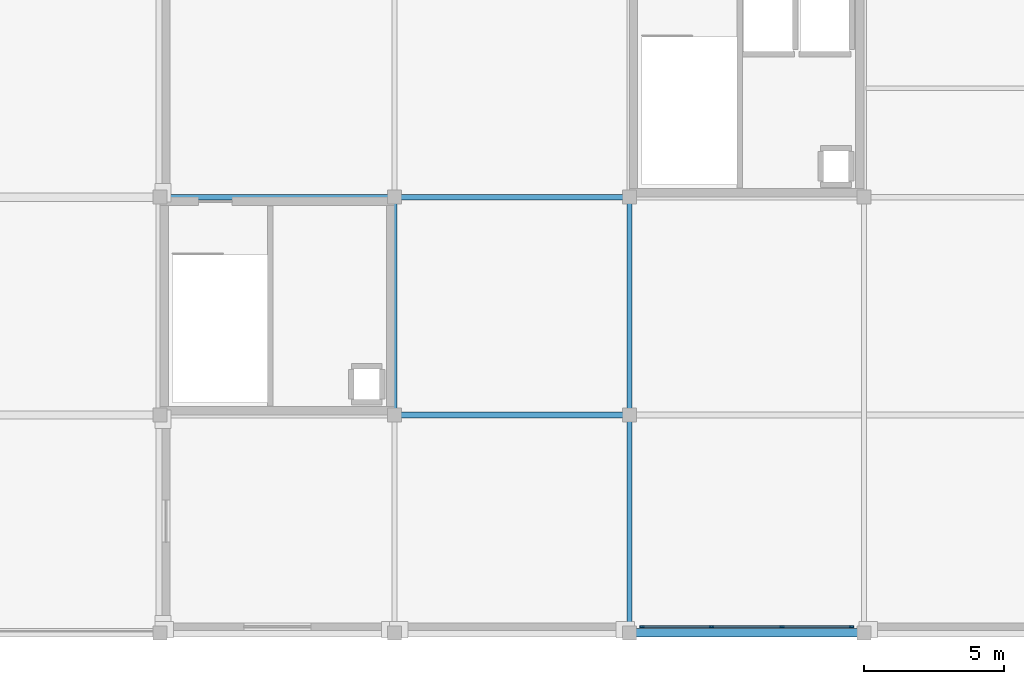
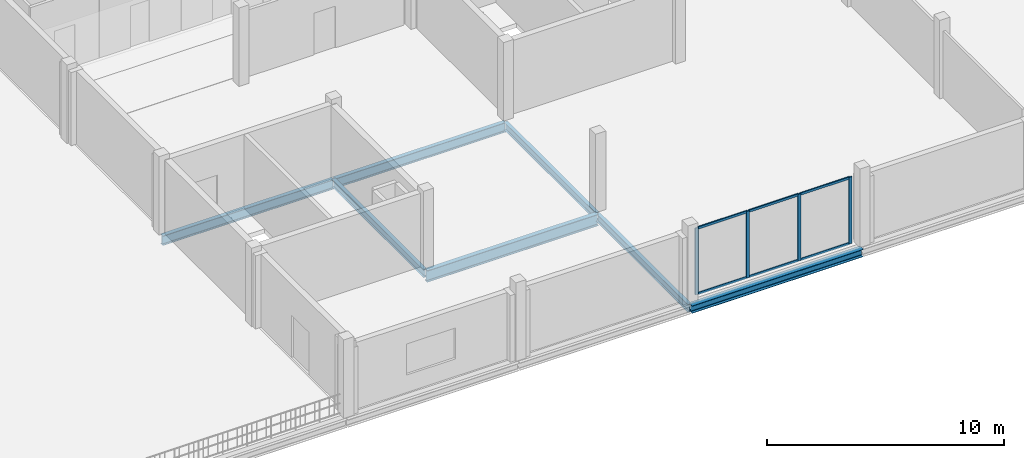
# One storey, part 10 of 41: 10 members, 7 beams, 1 element without a shape of its own.
"""IFC4 building model written with IfcOpenShell, lengths in metres."""

import ifcopenshell
import ifcopenshell.guid

model = None  # the IFC model being written
_history = None  # IfcOwnerHistory: only IFC2X3 demands one
_inside = {}  # id of a spatial element -> (the spatial element, [elements in it])
_under = {}  # id of a project, library or spatial element -> (it, [spatial elements below it])
_declared = {}  # id of a project -> (the project, [libraries it declares])
_typed = {}  # id of a type object -> (the type object, [elements of that type])
_made_of = {}  # id of a material, layer set ... -> (it, [elements and type objects made of it])


def new_model(schema):
    """Start an empty IFC model of exactly this schema.

    Asked for "IFC4X3", IfcOpenShell would pick the latest addendum, in which some entities
    have other attributes; the version numbers below select the first issue.
    IFC2X3 requires an IfcOwnerHistory on every rooted entity: one is made here for all.
    """
    global model, _history
    if schema == "IFC4X3":
        model = ifcopenshell.file(schema_version=(4, 3, 0, 0))
    else:
        model = ifcopenshell.file(schema=schema)
    _inside.clear()
    _under.clear()
    _declared.clear()
    _typed.clear()
    _made_of.clear()
    _history = None
    if model.schema == "IFC2X3":
        org = make("IfcOrganization", Name="unknown")
        user = make(
            "IfcPersonAndOrganization",
            ThePerson=make("IfcPerson", FamilyName="unknown"),
            TheOrganization=org,
        )
        app = make(
            "IfcApplication",
            ApplicationDeveloper=org,
            Version="unknown",
            ApplicationFullName="unknown",
            ApplicationIdentifier="unknown",
        )
        _history = make(
            "IfcOwnerHistory",
            OwningUser=user,
            OwningApplication=app,
            ChangeAction="ADDED",
            CreationDate=0,
        )
    return model


def make(cls, **values):
    """One entity of the class cls with the attributes given. An attribute that is None is left unset."""
    return model.create_entity(
        cls, **{name: value for name, value in values.items() if value is not None}
    )


def rooted(cls, **values):
    """An entity with a GlobalId (a new one), such as an element, a storey or a relation."""
    return make(cls, GlobalId=ifcopenshell.guid.new(), OwnerHistory=_history, **values)


def si_unit(unit_type, name, prefix=None):
    """IfcSIUnit, for example si_unit("LENGTHUNIT", "METRE", prefix="MILLI")."""
    return make("IfcSIUnit", UnitType=unit_type, Prefix=prefix, Name=name)


def assignment(units):
    """IfcUnitAssignment: the units of a project."""
    return None if units is None else make("IfcUnitAssignment", Units=units)


def point(xyz):
    """IfcCartesianPoint."""
    return None if xyz is None else make("IfcCartesianPoint", Coordinates=xyz)


def direction(xyz):
    """IfcDirection."""
    return None if xyz is None else make("IfcDirection", DirectionRatios=xyz)


def frame(location, z_axis=None, x_axis=None):
    """IfcAxis2Placement3D, a coordinate frame: its origin and axes. An axis left out is left unset."""
    return make(
        "IfcAxis2Placement3D",
        Location=point(location),
        Axis=direction(z_axis),
        RefDirection=direction(x_axis),
    )


def frame_2d(location, x_axis=None):
    """IfcAxis2Placement2D, a coordinate frame in the plane: its origin and x axis."""
    return make(
        "IfcAxis2Placement2D", Location=point(location), RefDirection=direction(x_axis)
    )


def origin():
    """The frame at (0, 0, 0) with its axes left unset."""
    return frame((0.0, 0.0, 0.0))


def origin_2d():
    """The frame at (0, 0) in the plane with its x axis left unset."""
    return frame_2d((0.0, 0.0))


def place(relative_to, where):
    """IfcLocalPlacement: puts the frame where relative to a parent placement (None: the world)."""
    return make(
        "IfcLocalPlacement", PlacementRelTo=relative_to, RelativePlacement=where
    )


def context(
    kind, dimensions, precision=None, world=None, true_north=None, identifier=None
):
    """IfcGeometricRepresentationContext, for example the 3D "Model" context."""
    return make(
        "IfcGeometricRepresentationContext",
        ContextIdentifier=identifier,
        ContextType=kind,
        CoordinateSpaceDimension=dimensions,
        Precision=precision,
        WorldCoordinateSystem=world,
        TrueNorth=true_north,
    )


def subcontext(parent, identifier, kind, view, scale=None):
    """IfcGeometricRepresentationSubContext, for example "Body" below "Model"."""
    return make(
        "IfcGeometricRepresentationSubContext",
        ContextIdentifier=identifier,
        ContextType=kind,
        ParentContext=parent,
        TargetScale=scale,
        TargetView=view,
    )


def project(units=None, contexts=None):
    """IfcProject with its units and contexts."""
    return rooted(
        "IfcProject",
        Name="project",
        RepresentationContexts=contexts,
        UnitsInContext=assignment(units),
    )


def spatial(cls, under=None, at=None, **own):
    """A site, building, storey or space (cls), placed at a placement, below another one or the project."""
    s = rooted(cls, ObjectPlacement=at, **own)
    if under is not None:
        _under.setdefault(under.id(), (under, []))[1].append(s)
    return s


def profile(cls, at=None, kind="AREA", **sizes):
    """A parametric profile (cls). Its sizes go by their IFC names, for example OverallWidth=200.0."""
    return make(cls, ProfileType=kind, Position=at, **sizes)


def rectangle(**sizes):
    """IfcRectangleProfileDef."""
    return profile("IfcRectangleProfileDef", **sizes)


def i_section(**sizes):
    """IfcIShapeProfileDef."""
    return profile("IfcIShapeProfileDef", **sizes)


def extrude(swept, where, along, depth):
    """IfcExtrudedAreaSolid: the profile swept, set in the frame where, extruded along a direction by depth."""
    return make(
        "IfcExtrudedAreaSolid",
        SweptArea=swept,
        Position=where,
        ExtrudedDirection=direction(along),
        Depth=depth,
    )


def shape(context_of_items, identifier, shape_type, items):
    """IfcShapeRepresentation: the items that make up one representation, for example the "Body"."""
    return make(
        "IfcShapeRepresentation",
        ContextOfItems=context_of_items,
        RepresentationIdentifier=identifier,
        RepresentationType=shape_type,
        Items=items,
    )


def material(Name=None, Category=None):
    """IfcMaterial."""
    return make("IfcMaterial", Name=Name, Category=Category)


def material_profile(
    of_material, cross_section, Name=None, Category=None, Priority=None
):
    """IfcMaterialProfile: a cross section and its material."""
    return make(
        "IfcMaterialProfile",
        Name=Name,
        Material=of_material,
        Profile=cross_section,
        Priority=Priority,
        Category=Category,
    )


def profile_set(profiles, Name=None, composite=None):
    """IfcMaterialProfileSet."""
    return make(
        "IfcMaterialProfileSet",
        Name=Name,
        MaterialProfiles=profiles,
        CompositeProfile=composite,
    )


def made_of(thing, what):
    """Note that an element or type object is made of a material, layer set ...; save() writes the relation."""
    if what is not None:
        _made_of.setdefault(what.id(), (what, []))[1].append(thing)
    return thing


def type_object(cls, material=None, **own):
    """A type object (cls), such as IfcWallType, which elements share."""
    return made_of(rooted(cls, **own), material)


def element(
    cls,
    number,
    at=None,
    inside=None,
    cuts=None,
    type_object=None,
    material=None,
    context=None,
    identifier="Body",
    shape_type=None,
    held_by="IfcProductDefinitionShape",
    body=None,
    shapes=None,
    **own,
):
    """One element of the class cls, such as IfcWall. Its Tag is "e" and its number.

    at: its placement. inside: the storey or other place that contains it. cuts: it is an
    opening in that element (IfcRelVoidsElement). A single representation is given by context,
    identifier, shape_type and body (its items); several are given by shapes. held_by: the class
    of the entity that holds the representations. save() writes the other relations.
    """
    e = rooted(cls, Tag="e%d" % number, ObjectPlacement=at, **own)
    if body is not None:
        shapes = [shape(context, identifier, shape_type, body)]
    if shapes is not None:
        e.Representation = make(held_by, Representations=shapes)
    if inside is not None:
        _inside.setdefault(inside.id(), (inside, []))[1].append(e)
    if cuts is not None:
        rooted(
            "IfcRelVoidsElement", RelatingBuildingElement=cuts, RelatedOpeningElement=e
        )
    if type_object is not None:
        _typed.setdefault(type_object.id(), (type_object, []))[1].append(e)
    return made_of(e, material)


def aggregate(whole, parts):
    """IfcRelAggregates: a whole, such as a stair, and the parts it consists of."""
    return rooted("IfcRelAggregates", RelatingObject=whole, RelatedObjects=parts)


def save(model, path):
    """Write the relations noted so far, then the file.

    IfcRelAggregates (storeys below a building ...), IfcRelContainedInSpatialStructure (elements
    in a storey), IfcRelDefinesByType, IfcRelAssociatesMaterial and IfcRelDeclares: one each for
    every whole, place, type object, material and project.
    """
    for whole, parts in _under.values():
        aggregate(whole, parts)
    for where, things in _inside.values():
        rooted(
            "IfcRelContainedInSpatialStructure",
            RelatedElements=things,
            RelatingStructure=where,
        )
    for kind, things in _typed.values():
        rooted("IfcRelDefinesByType", RelatedObjects=things, RelatingType=kind)
    for what, things in _made_of.values():
        rooted("IfcRelAssociatesMaterial", RelatedObjects=things, RelatingMaterial=what)
    for by, libraries in _declared.values():
        rooted("IfcRelDeclares", RelatingContext=by, RelatedDefinitions=libraries)
    model.write(path)


model = new_model("IFC4")

# Units and contexts
model_context = context("Model", 3, precision=1e-05, world=origin(), true_north=direction((0.0, 1.0)))
body_context = subcontext(model_context, "Body", "Model", "MODEL_VIEW")
ifc_project = project(units=[si_unit("LENGTHUNIT", "METRE"), si_unit("AREAUNIT", "SQUARE_METRE"), si_unit("VOLUMEUNIT", "CUBIC_METRE"), si_unit("PLANEANGLEUNIT", "RADIAN"), si_unit("MASSUNIT", "GRAM", prefix="KILO")], contexts=[model_context])

# Site, building, storey
site_placement = place(None, origin())
site = spatial("IfcSite", under=ifc_project, at=site_placement, CompositionType="ELEMENT")
building_placement = place(site_placement, origin())
building = spatial("IfcBuilding", under=site, at=building_placement, Name="Nabrawat Pavilion Hospital", CompositionType="ELEMENT")
storey_placement = place(building_placement, frame((0.0, 0.0, 18.89990234375)))
storey = spatial("IfcBuildingStorey", under=building, at=storey_placement, Name="L04", CompositionType="ELEMENT", Elevation=18.89990234375)

# Curtain wall, members
ifc_material_1 = material(Name="Anodised Aluminium", Category="aluminium")
curtain_wall_type = type_object("IfcCurtainWallType", Name="Outpatient Boulevard Curtain Wall", PredefinedType="USERDEFINED", material=ifc_material_1)
curtain_wall_placement = place(storey_placement, origin())
curtain_wall = element("IfcCurtainWall", 1, at=curtain_wall_placement, inside=storey, type_object=curtain_wall_type, Name="L04 Outpatient Boulevard Curtain Wall 148", ObjectType="CURTAIN WALL", PredefinedType="USERDEFINED")
ifc_material_profile_1 = material_profile(ifc_material_1, rectangle(XDim=0.06005859375, YDim=0.159912109375, at=origin_2d()), Name="CWM 60x160")
ifc_profile_set_1 = profile_set([ifc_material_profile_1], Name="Anodised Aluminium")
member_type_1 = type_object("IfcMemberType", Name="Outpatient Boulevard Curtain Wall Mullion CWM 60x160", PredefinedType="MULLION", material=ifc_profile_set_1)
member_1_placement = place(storey_placement, frame((160.050048828125, 0.219970703125, 0.0), z_axis=(0.0, 0.0, 1.0), x_axis=(0.0, 1.0, 0.0)))
member_1 = element("IfcMember", 2, at=member_1_placement, type_object=member_type_1, Name="CW-OPC-01 mullion 1", PredefinedType="MULLION", context=body_context, shape_type="SweptSolid", body=[
    extrude(rectangle(XDim=0.06005859375, YDim=0.159912109375, at=origin_2d()), origin(), (0.0, 0.0, 1.0), 3.440185546875),
])
member_2_placement = place(storey_placement, frame((162.5400390625, 0.219970703125, 0.0), z_axis=(0.0, 0.0, 1.0), x_axis=(0.0, 1.0, 0.0)))
member_2 = element("IfcMember", 3, at=member_2_placement, type_object=member_type_1, Name="CW-OPC-01 mullion 2", PredefinedType="MULLION", context=body_context, shape_type="SweptSolid", body=[
    extrude(rectangle(XDim=0.06005859375, YDim=0.159912109375, at=origin_2d()), origin(), (0.0, 0.0, 1.0), 3.440185546875),
])
member_3_placement = place(storey_placement, frame((165.06005859375, 0.219970703125, 0.0), z_axis=(0.0, 0.0, 1.0), x_axis=(0.0, 1.0, 0.0)))
member_3 = element("IfcMember", 4, at=member_3_placement, type_object=member_type_1, Name="CW-OPC-01 mullion 3", PredefinedType="MULLION", context=body_context, shape_type="SweptSolid", body=[
    extrude(rectangle(XDim=0.06005859375, YDim=0.159912109375, at=origin_2d()), origin(), (0.0, 0.0, 1.0), 3.440185546875),
])
member_4_placement = place(storey_placement, frame((167.550048828125, 0.219970703125, 0.0), z_axis=(0.0, 0.0, 1.0), x_axis=(0.0, 1.0, 0.0)))
member_4 = element("IfcMember", 5, at=member_4_placement, type_object=member_type_1, Name="CW-OPC-01 mullion 4", PredefinedType="MULLION", context=body_context, shape_type="SweptSolid", body=[
    extrude(rectangle(XDim=0.06005859375, YDim=0.159912109375, at=origin_2d()), origin(), (0.0, 0.0, 1.0), 3.440185546875),
])
ifc_material_profile_2 = material_profile(ifc_material_1, rectangle(XDim=0.06005859375, YDim=0.1201171875, at=origin_2d()), Name="CWT 60x120")
ifc_profile_set_2 = profile_set([ifc_material_profile_2], Name="Anodised Aluminium")
member_type_2 = type_object("IfcMemberType", Name="Outpatient Boulevard Curtain Wall Transom CWT 60x120", PredefinedType="USERDEFINED", material=ifc_profile_set_2)
member_5_placement = place(storey_placement, frame((160.080078125, 0.219970703125, 0.030029296875), z_axis=(1.0, 0.0, 0.0), x_axis=(0.0, 1.0, 0.0)))
member_5 = element("IfcMember", 6, at=member_5_placement, type_object=member_type_2, Name="CW-OPC-01 transom 1.1", ObjectType="TRANSOM", PredefinedType="USERDEFINED", context=body_context, shape_type="SweptSolid", body=[
    extrude(rectangle(XDim=0.06005859375, YDim=0.1201171875, at=origin_2d()), origin(), (0.0, 0.0, 1.0), 2.429931640625),
])
member_6_placement = place(storey_placement, frame((160.080078125, 0.219970703125, 3.41015625), z_axis=(1.0, 0.0, 0.0), x_axis=(0.0, 1.0, 0.0)))
member_6 = element("IfcMember", 7, at=member_6_placement, type_object=member_type_2, Name="CW-OPC-01 transom 1.2", ObjectType="TRANSOM", PredefinedType="USERDEFINED", context=body_context, shape_type="SweptSolid", body=[
    extrude(rectangle(XDim=0.06005859375, YDim=0.1201171875, at=origin_2d()), origin(), (0.0, 0.0, 1.0), 2.429931640625),
])
member_7_placement = place(storey_placement, frame((162.570068359375, 0.219970703125, 0.030029296875), z_axis=(1.0, 0.0, 0.0), x_axis=(0.0, 1.0, 0.0)))
member_7 = element("IfcMember", 8, at=member_7_placement, type_object=member_type_2, Name="CW-OPC-01 transom 2.1", ObjectType="TRANSOM", PredefinedType="USERDEFINED", context=body_context, shape_type="SweptSolid", body=[
    extrude(rectangle(XDim=0.06005859375, YDim=0.1201171875, at=origin_2d()), origin(), (0.0, 0.0, 1.0), 2.4599609375),
])
member_8_placement = place(storey_placement, frame((162.570068359375, 0.219970703125, 3.41015625), z_axis=(1.0, 0.0, 0.0), x_axis=(0.0, 1.0, 0.0)))
member_8 = element("IfcMember", 9, at=member_8_placement, type_object=member_type_2, Name="CW-OPC-01 transom 2.2", ObjectType="TRANSOM", PredefinedType="USERDEFINED", context=body_context, shape_type="SweptSolid", body=[
    extrude(rectangle(XDim=0.06005859375, YDim=0.1201171875, at=origin_2d()), origin(), (0.0, 0.0, 1.0), 2.4599609375),
])
member_9_placement = place(storey_placement, frame((165.090087890625, 0.219970703125, 0.030029296875), z_axis=(1.0, 0.0, 0.0), x_axis=(0.0, 1.0, 0.0)))
member_9 = element("IfcMember", 10, at=member_9_placement, type_object=member_type_2, Name="CW-OPC-01 transom 3.1", ObjectType="TRANSOM", PredefinedType="USERDEFINED", context=body_context, shape_type="SweptSolid", body=[
    extrude(rectangle(XDim=0.06005859375, YDim=0.1201171875, at=origin_2d()), origin(), (0.0, 0.0, 1.0), 2.429931640625),
])
member_10_placement = place(storey_placement, frame((165.090087890625, 0.219970703125, 3.41015625), z_axis=(1.0, 0.0, 0.0), x_axis=(0.0, 1.0, 0.0)))
member_10 = element("IfcMember", 11, at=member_10_placement, type_object=member_type_2, Name="CW-OPC-01 transom 3.2", ObjectType="TRANSOM", PredefinedType="USERDEFINED", context=body_context, shape_type="SweptSolid", body=[
    extrude(rectangle(XDim=0.06005859375, YDim=0.1201171875, at=origin_2d()), origin(), (0.0, 0.0, 1.0), 2.429931640625),
])
aggregate(curtain_wall, [member_1, member_2, member_3, member_4, member_5, member_6, member_7, member_8, member_9, member_10])

# Beams
ifc_material_2 = material(Name="Steel S355", Category="steel")
ifc_material_profile_3 = material_profile(ifc_material_2, i_section(OverallWidth=0.300048828125, OverallDepth=0.389892578125, WebThickness=0.010986328125, FlangeThickness=0.01904296875, FilletRadius=0.027099609375, at=origin_2d()), Name="HEA 400")
ifc_profile_set_3 = profile_set([ifc_material_profile_3], Name="Steel S355")
beam_type_1 = type_object("IfcBeamType", Name="Perimeter Moment Spandrel Beam HEA 400", PredefinedType="SPANDREL", material=ifc_profile_set_3)
beam_1_placement = place(storey_placement, frame((159.6201171875, 0.0, -0.4248046875), z_axis=(1.0, 0.0, 0.0), x_axis=(0.0, 1.0, 0.0)))
element("IfcBeam", 12, at=beam_1_placement, inside=storey, type_object=beam_type_1, Name="L04 Primary X Girder 1757", PredefinedType="SPANDREL", context=body_context, shape_type="SweptSolid", body=[
    extrude(i_section(OverallWidth=0.300048828125, OverallDepth=0.389892578125, WebThickness=0.010986328125, FlangeThickness=0.01904296875, FilletRadius=0.027099609375, at=origin_2d()), origin(), (0.0, 0.0, 1.0), 8.35986328125),
])
ifc_material_profile_4 = material_profile(ifc_material_2, i_section(OverallWidth=0.199951171875, OverallDepth=0.5, WebThickness=0.01025390625, FlangeThickness=0.01611328125, FilletRadius=0.02099609375, at=origin_2d()), Name="IPE 500")
ifc_profile_set_4 = profile_set([ifc_material_profile_4], Name="Steel S355")
beam_type_2 = type_object("IfcBeamType", Name="Standard X Floor Girder IPE 500", PredefinedType="USERDEFINED", material=ifc_profile_set_4)
beam_2_placement = place(storey_placement, frame((142.820068359375, 15.60009765625, -0.47998046875), z_axis=(1.0, 0.0, 0.0), x_axis=(0.0, 1.0, 0.0)))
element("IfcBeam", 13, at=beam_2_placement, inside=storey, type_object=beam_type_2, Name="L04 Primary X Girder 1768", ObjectType="GIRDER", PredefinedType="USERDEFINED", context=body_context, shape_type="SweptSolid", body=[
    extrude(i_section(OverallWidth=0.199951171875, OverallDepth=0.5, WebThickness=0.01025390625, FlangeThickness=0.01611328125, FilletRadius=0.02099609375, at=origin_2d()), origin(), (0.0, 0.0, 1.0), 8.35986328125),
])
beam_3_placement = place(storey_placement, frame((151.219970703125, 15.60009765625, -0.47998046875), z_axis=(1.0, 0.0, 0.0), x_axis=(0.0, 1.0, 0.0)))
element("IfcBeam", 14, at=beam_3_placement, inside=storey, type_object=beam_type_2, Name="L04 Primary X Girder 1769", ObjectType="GIRDER", PredefinedType="USERDEFINED", context=body_context, shape_type="SweptSolid", body=[
    extrude(i_section(OverallWidth=0.199951171875, OverallDepth=0.5, WebThickness=0.01025390625, FlangeThickness=0.01611328125, FilletRadius=0.02099609375, at=origin_2d()), origin(), (0.0, 0.0, 1.0), 8.360107421875),
])
ifc_material_profile_5 = material_profile(ifc_material_2, i_section(OverallWidth=0.179931640625, OverallDepth=0.39990234375, WebThickness=0.008544921875, FlangeThickness=0.013427734375, FilletRadius=0.02099609375, at=origin_2d()), Name="IPE 400")
ifc_profile_set_5 = profile_set([ifc_material_profile_5], Name="Steel S355")
beam_type_3 = type_object("IfcBeamType", Name="Standard Y Floor Beam IPE 400", PredefinedType="BEAM", material=ifc_profile_set_5)
for number, where, z_axis, x_axis, name in (
    (15, (151.199951171875, 7.820068359375, -0.429931640625), (0.0, 1.0, 0.0), (-1.0, 0.0, 0.0), "L04 Primary Y Beam 1896"),
    (16, (159.60009765625, 0.02001953125, -0.429931640625), (0.0, 1.0, 0.0), (-1.0, 0.0, 0.0), "L04 Primary Y Beam 1911"),
    (17, (159.60009765625, 7.820068359375, -0.429931640625), (0.0, 1.0, 0.0), (-1.0, 0.0, 0.0), "L04 Primary Y Beam 1912"),
):
    element("IfcBeam", number, at=place(storey_placement, frame(where, z_axis=z_axis, x_axis=x_axis)), inside=storey, type_object=beam_type_3, Name=name, PredefinedType="BEAM", context=body_context, shape_type="SweptSolid", body=[
        extrude(i_section(OverallWidth=0.179931640625, OverallDepth=0.39990234375, WebThickness=0.008544921875, FlangeThickness=0.013427734375, FilletRadius=0.02099609375, at=origin_2d()), origin(), (0.0, 0.0, 1.0), 7.760009765625),
    ])
ifc_material_profile_6 = material_profile(ifc_material_2, i_section(OverallWidth=0.219970703125, OverallDepth=0.60009765625, WebThickness=0.011962890625, FlangeThickness=0.01904296875, FilletRadius=0.02392578125, at=origin_2d()), Name="IPE 600")
ifc_profile_set_6 = profile_set([ifc_material_profile_6], Name="Steel S355")
beam_type_4 = type_object("IfcBeamType", Name="Wide-Bay Floor Girder IPE 600", PredefinedType="USERDEFINED", material=ifc_profile_set_6)
beam_4_placement = place(storey_placement, frame((151.219970703125, 7.800048828125, -0.52978515625), z_axis=(1.0, 0.0, 0.0), x_axis=(0.0, 1.0, 0.0)))
element("IfcBeam", 18, at=beam_4_placement, inside=storey, type_object=beam_type_4, Name="L04 Primary X Girder 1764", ObjectType="GIRDER", PredefinedType="USERDEFINED", context=body_context, shape_type="SweptSolid", body=[
    extrude(i_section(OverallWidth=0.219970703125, OverallDepth=0.60009765625, WebThickness=0.011962890625, FlangeThickness=0.01904296875, FilletRadius=0.02392578125, at=origin_2d()), origin(), (0.0, 0.0, 1.0), 8.360107421875),
])

save(model, "model.ifc")
